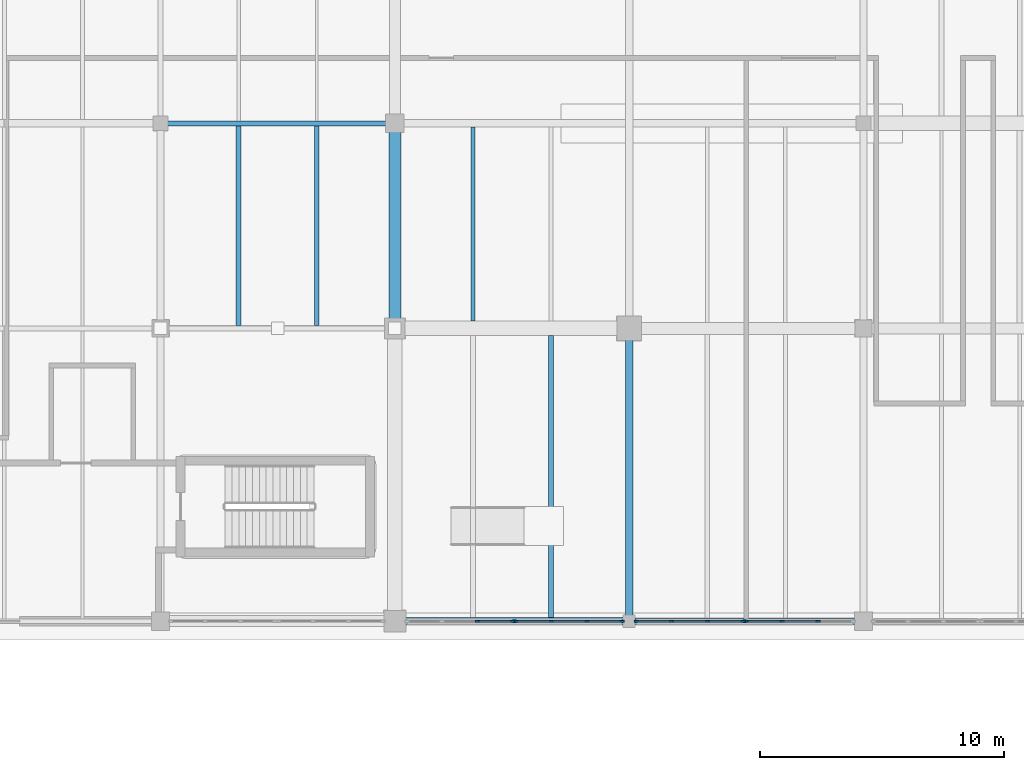
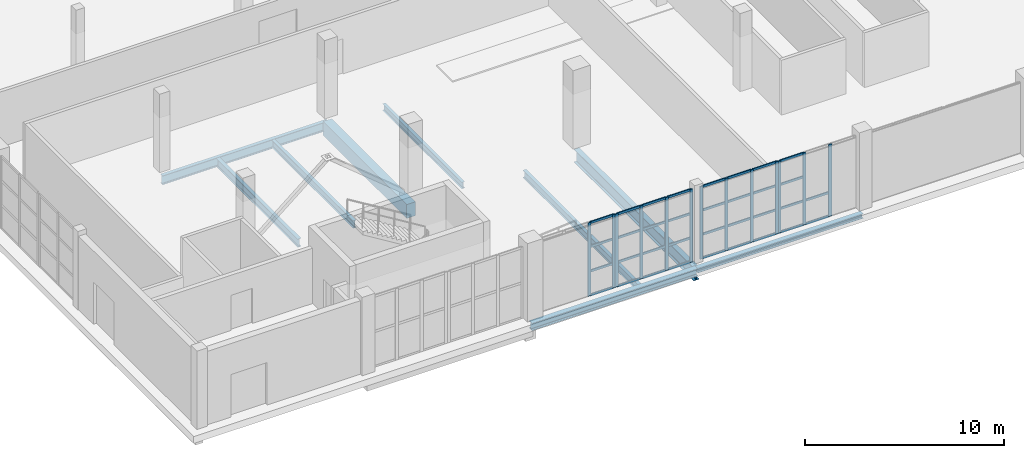
# One storey, part 18 of 121: 47 members, 9 beams, 4 elements without a shape of their own.
"""IFC4 building model written with IfcOpenShell, lengths in metres."""

from ifc_helpers import new_model, si_unit, direction, frame, origin, origin_2d, place, context, subcontext, project, spatial, rectangle, i_section, extrude, material, layer, layer_set, material_profile, profile_set, type_object, element, aggregate, save


model = new_model("IFC4")

# Units and contexts
model_context = context("Model", 3, precision=1e-05, world=origin(), true_north=direction((0.0, 1.0)))
body_context = subcontext(model_context, "Body", "Model", "MODEL_VIEW")
ifc_project = project(units=[si_unit("LENGTHUNIT", "METRE"), si_unit("AREAUNIT", "SQUARE_METRE"), si_unit("VOLUMEUNIT", "CUBIC_METRE"), si_unit("PLANEANGLEUNIT", "RADIAN"), si_unit("MASSUNIT", "GRAM", prefix="KILO")], contexts=[model_context])

# Site, building, storey
site_placement = place(None, origin())
site = spatial("IfcSite", under=ifc_project, at=site_placement, CompositionType="ELEMENT")
building_placement = place(site_placement, origin())
building = spatial("IfcBuilding", under=site, at=building_placement, Name="Zereglee Splitstone Museum", CompositionType="ELEMENT")
storey_placement = place(building_placement, origin())
storey = spatial("IfcBuildingStorey", under=building, at=storey_placement, Name="L00", CompositionType="ELEMENT", Elevation=0.0)

# Beam
ifc_material_1 = material(Name="Concrete C40/50", Category="concrete")
ifc_material_profile_1 = material_profile(ifc_material_1, rectangle(XDim=0.5, YDim=0.85009765625, at=origin_2d()), Name="RC 500x850")
ifc_profile_set_1 = profile_set([ifc_material_profile_1], Name="Concrete C40/50")
beam_type_1 = type_object("IfcBeamType", Name="BG-02", PredefinedType="BEAM", material=ifc_profile_set_1)
beam_1_placement = place(storey_placement, frame((97.199951171875, 21.60009765625, -0.844970703125), z_axis=(0.0, 1.0, 0.0), x_axis=(-1.0, 0.0, 0.0)))
element("IfcBeam", 1, at=beam_1_placement, inside=storey, type_object=beam_type_1, Name="Primary Girder L00 12 (21.6-30.0)", PredefinedType="BEAM", context=body_context, shape_type="SweptSolid", body=[
    extrude(rectangle(XDim=0.5, YDim=0.85009765625, at=origin_2d()), origin(), (0.0, 0.0, 1.0), 8.39990234375),
])

# Curtain wall, members
ifc_material_2 = material(Name="Triple-glazed low-E argon glass and bronze-anodised aluminium", Category="aluminium")
ifc_layer_1 = layer(ifc_material_2, 0.179931640625)
ifc_layer_set_1 = layer_set([ifc_layer_1], Name="Triple-glazed low-E argon glass and bronze-anodised aluminium")
curtain_wall_type_1 = type_object("IfcCurtainWallType", Name="CW-0440-450", PredefinedType="USERDEFINED", material=ifc_layer_set_1)
curtain_wall_1_placement = place(storey_placement, origin())
curtain_wall_1 = element("IfcCurtainWall", 2, at=curtain_wall_1_placement, inside=storey, type_object=curtain_wall_type_1, Name="Glazed Curtain Wall CW-0440-450 (L00)", ObjectType="GLAZED CURTAIN WALL", PredefinedType="USERDEFINED")
ifc_material_3 = material(Name="Thermally broken bronze-anodised aluminium", Category="aluminium")
ifc_material_profile_2 = material_profile(ifc_material_3, rectangle(XDim=0.06494140625, YDim=0.179931640625, at=origin_2d()), Name="CW MULL 65x180")
ifc_profile_set_2 = profile_set([ifc_material_profile_2], Name="Thermally broken bronze-anodised aluminium")
member_type_1 = type_object("IfcMemberType", Name="CWM-01", PredefinedType="MULLION", material=ifc_profile_set_2)
member_1_placement = place(storey_placement, frame((100.5927734375, 9.60009765625, 0.0), z_axis=(0.0, 0.0, 1.0), x_axis=(0.0, 1.0, 0.0)))
member_1 = element("IfcMember", 3, at=member_1_placement, type_object=member_type_1, Name="CW-0440-450 mullion 3", PredefinedType="MULLION", context=body_context, shape_type="SweptSolid", body=[
    extrude(rectangle(XDim=0.06494140625, YDim=0.179931640625, at=origin_2d()), origin(), (0.0, 0.0, 1.0), 4.5),
])
member_2_placement = place(storey_placement, frame((102.027587890625, 9.60009765625, 0.0), z_axis=(0.0, 0.0, 1.0), x_axis=(0.0, 1.0, 0.0)))
member_2 = element("IfcMember", 4, at=member_2_placement, type_object=member_type_1, Name="CW-0440-450 mullion 4", PredefinedType="MULLION", context=body_context, shape_type="SweptSolid", body=[
    extrude(rectangle(XDim=0.06494140625, YDim=0.179931640625, at=origin_2d()), origin(), (0.0, 0.0, 1.0), 4.5),
])

ifc_layer_2 = layer(ifc_material_2, 0.179931640625)
ifc_layer_set_2 = layer_set([ifc_layer_2], Name="Triple-glazed low-E argon glass and bronze-anodised aluminium")
curtain_wall_type_2 = type_object("IfcCurtainWallType", Name="CW-0440-448", PredefinedType="USERDEFINED", material=ifc_layer_set_2)
curtain_wall_2_placement = place(storey_placement, origin())
curtain_wall_2 = element("IfcCurtainWall", 5, at=curtain_wall_2_placement, inside=storey, type_object=curtain_wall_type_2, Name="Glazed Curtain Wall CW-0440-448 (L00)", ObjectType="GLAZED CURTAIN WALL", PredefinedType="USERDEFINED")
member_3_placement = place(storey_placement, frame((102.172607421875, 9.60009765625, 0.0), z_axis=(0.0, 0.0, 1.0), x_axis=(0.0, 1.0, 0.0)))
member_3 = element("IfcMember", 6, at=member_3_placement, type_object=member_type_1, Name="CW-0440-448 mullion 1", PredefinedType="MULLION", context=body_context, shape_type="SweptSolid", body=[
    extrude(rectangle(XDim=0.06494140625, YDim=0.179931640625, at=origin_2d()), origin(), (0.0, 0.0, 1.0), 4.47998046875),
])
member_4_placement = place(storey_placement, frame((103.607421875, 9.60009765625, 0.0), z_axis=(0.0, 0.0, 1.0), x_axis=(0.0, 1.0, 0.0)))
member_4 = element("IfcMember", 7, at=member_4_placement, type_object=member_type_1, Name="CW-0440-448 mullion 2", PredefinedType="MULLION", context=body_context, shape_type="SweptSolid", body=[
    extrude(rectangle(XDim=0.06494140625, YDim=0.179931640625, at=origin_2d()), origin(), (0.0, 0.0, 1.0), 4.47998046875),
])
member_5_placement = place(storey_placement, frame((105.07470703125, 9.60009765625, 0.0), z_axis=(0.0, 0.0, 1.0), x_axis=(0.0, 1.0, 0.0)))
member_5 = element("IfcMember", 8, at=member_5_placement, type_object=member_type_1, Name="CW-0440-448 mullion 3", PredefinedType="MULLION", context=body_context, shape_type="SweptSolid", body=[
    extrude(rectangle(XDim=0.06494140625, YDim=0.179931640625, at=origin_2d()), origin(), (0.0, 0.0, 1.0), 4.47998046875),
])
member_6_placement = place(storey_placement, frame((106.509521484375, 9.60009765625, 0.0), z_axis=(0.0, 0.0, 1.0), x_axis=(0.0, 1.0, 0.0)))
member_6 = element("IfcMember", 9, at=member_6_placement, type_object=member_type_1, Name="CW-0440-448 mullion 4", PredefinedType="MULLION", context=body_context, shape_type="SweptSolid", body=[
    extrude(rectangle(XDim=0.06494140625, YDim=0.179931640625, at=origin_2d()), origin(), (0.0, 0.0, 1.0), 4.47998046875),
])

ifc_layer_3 = layer(ifc_material_2, 0.179931640625)
ifc_layer_set_3 = layer_set([ifc_layer_3], Name="Triple-glazed low-E argon glass and bronze-anodised aluminium")
curtain_wall_type_3 = type_object("IfcCurtainWallType", Name="CW-0444-444", PredefinedType="USERDEFINED", material=ifc_layer_set_3)
curtain_wall_3_placement = place(storey_placement, origin())
curtain_wall_3 = element("IfcCurtainWall", 10, at=curtain_wall_3_placement, inside=storey, type_object=curtain_wall_type_3, Name="Glazed Curtain Wall CW-0444-444 (L00)", ObjectType="GLAZED CURTAIN WALL", PredefinedType="USERDEFINED")
member_7_placement = place(storey_placement, frame((107.090576171875, 9.60009765625, 0.0), z_axis=(0.0, 0.0, 1.0), x_axis=(0.0, 1.0, 0.0)))
member_7 = element("IfcMember", 11, at=member_7_placement, type_object=member_type_1, Name="CW-0444-444 mullion 1", PredefinedType="MULLION", context=body_context, shape_type="SweptSolid", body=[
    extrude(rectangle(XDim=0.06494140625, YDim=0.179931640625, at=origin_2d()), origin(), (0.0, 0.0, 1.0), 4.43994140625),
])
member_8_placement = place(storey_placement, frame((108.537841796875, 9.60009765625, 0.0), z_axis=(0.0, 0.0, 1.0), x_axis=(0.0, 1.0, 0.0)))
member_8 = element("IfcMember", 12, at=member_8_placement, type_object=member_type_1, Name="CW-0444-444 mullion 2", PredefinedType="MULLION", context=body_context, shape_type="SweptSolid", body=[
    extrude(rectangle(XDim=0.06494140625, YDim=0.179931640625, at=origin_2d()), origin(), (0.0, 0.0, 1.0), 4.43994140625),
])
member_9_placement = place(storey_placement, frame((110.017578125, 9.60009765625, 0.0), z_axis=(0.0, 0.0, 1.0), x_axis=(0.0, 1.0, 0.0)))
member_9 = element("IfcMember", 13, at=member_9_placement, type_object=member_type_1, Name="CW-0444-444 mullion 3", PredefinedType="MULLION", context=body_context, shape_type="SweptSolid", body=[
    extrude(rectangle(XDim=0.06494140625, YDim=0.179931640625, at=origin_2d()), origin(), (0.0, 0.0, 1.0), 4.43994140625),
])
member_10_placement = place(storey_placement, frame((111.465087890625, 9.60009765625, 0.0), z_axis=(0.0, 0.0, 1.0), x_axis=(0.0, 1.0, 0.0)))
member_10 = element("IfcMember", 14, at=member_10_placement, type_object=member_type_1, Name="CW-0444-444 mullion 4", PredefinedType="MULLION", context=body_context, shape_type="SweptSolid", body=[
    extrude(rectangle(XDim=0.06494140625, YDim=0.179931640625, at=origin_2d()), origin(), (0.0, 0.0, 1.0), 4.43994140625),
])

ifc_layer_4 = layer(ifc_material_2, 0.179931640625)
ifc_layer_set_4 = layer_set([ifc_layer_4], Name="Triple-glazed low-E argon glass and bronze-anodised aluminium")
curtain_wall_type_4 = type_object("IfcCurtainWallType", Name="CW-0444-442", PredefinedType="USERDEFINED", material=ifc_layer_set_4)
curtain_wall_4_placement = place(storey_placement, origin())
curtain_wall_4 = element("IfcCurtainWall", 15, at=curtain_wall_4_placement, inside=storey, type_object=curtain_wall_type_4, Name="Glazed Curtain Wall CW-0444-442 (L00)", ObjectType="GLAZED CURTAIN WALL", PredefinedType="USERDEFINED")
member_11_placement = place(storey_placement, frame((111.610107421875, 9.60009765625, 0.0), z_axis=(0.0, 0.0, 1.0), x_axis=(0.0, 1.0, 0.0)))
member_11 = element("IfcMember", 16, at=member_11_placement, type_object=member_type_1, Name="CW-0444-442 mullion 1", PredefinedType="MULLION", context=body_context, shape_type="SweptSolid", body=[
    extrude(rectangle(XDim=0.06494140625, YDim=0.179931640625, at=origin_2d()), origin(), (0.0, 0.0, 1.0), 4.419921875),
])
member_12_placement = place(storey_placement, frame((113.057373046875, 9.60009765625, 0.0), z_axis=(0.0, 0.0, 1.0), x_axis=(0.0, 1.0, 0.0)))
member_12 = element("IfcMember", 17, at=member_12_placement, type_object=member_type_1, Name="CW-0444-442 mullion 2", PredefinedType="MULLION", context=body_context, shape_type="SweptSolid", body=[
    extrude(rectangle(XDim=0.06494140625, YDim=0.179931640625, at=origin_2d()), origin(), (0.0, 0.0, 1.0), 4.419921875),
])
member_13_placement = place(storey_placement, frame((114.537109375, 9.60009765625, 0.0), z_axis=(0.0, 0.0, 1.0), x_axis=(0.0, 1.0, 0.0)))
member_13 = element("IfcMember", 18, at=member_13_placement, type_object=member_type_1, Name="CW-0444-442 mullion 3", PredefinedType="MULLION", context=body_context, shape_type="SweptSolid", body=[
    extrude(rectangle(XDim=0.06494140625, YDim=0.179931640625, at=origin_2d()), origin(), (0.0, 0.0, 1.0), 4.419921875),
])

# Member
ifc_material_profile_3 = material_profile(ifc_material_3, rectangle(XDim=0.06494140625, YDim=0.139892578125, at=origin_2d()), Name="CW TRAN 65x140")
ifc_profile_set_3 = profile_set([ifc_material_profile_3], Name="Thermally broken bronze-anodised aluminium")
member_type_2 = type_object("IfcMemberType", Name="CWT-01", PredefinedType="USERDEFINED", material=ifc_profile_set_3)
member_14_placement = place(storey_placement, frame((100.625244140625, 9.60009765625, 0.032470703125), z_axis=(1.0, 0.0, 0.0), x_axis=(0.0, 1.0, 0.0)))
member_14 = element("IfcMember", 19, at=member_14_placement, type_object=member_type_2, Name="CW-0440-450 transom 3.1", ObjectType="TRANSOM", PredefinedType="USERDEFINED", context=body_context, shape_type="SweptSolid", body=[
    extrude(rectangle(XDim=0.06494140625, YDim=0.139892578125, at=origin_2d()), origin(), (0.0, 0.0, 1.0), 1.369873046875),
])

member_15_placement = place(storey_placement, frame((100.625244140625, 9.60009765625, 1.5), z_axis=(1.0, 0.0, 0.0), x_axis=(0.0, 1.0, 0.0)))
member_15 = element("IfcMember", 20, at=member_15_placement, type_object=member_type_2, Name="CW-0440-450 transom 3.2", ObjectType="TRANSOM", PredefinedType="USERDEFINED", context=body_context, shape_type="SweptSolid", body=[
    extrude(rectangle(XDim=0.06494140625, YDim=0.139892578125, at=origin_2d()), origin(), (0.0, 0.0, 1.0), 1.369873046875),
])

member_16_placement = place(storey_placement, frame((100.625244140625, 9.60009765625, 3.0), z_axis=(1.0, 0.0, 0.0), x_axis=(0.0, 1.0, 0.0)))
member_16 = element("IfcMember", 21, at=member_16_placement, type_object=member_type_2, Name="CW-0440-450 transom 3.3", ObjectType="TRANSOM", PredefinedType="USERDEFINED", context=body_context, shape_type="SweptSolid", body=[
    extrude(rectangle(XDim=0.06494140625, YDim=0.139892578125, at=origin_2d()), origin(), (0.0, 0.0, 1.0), 1.369873046875),
])

member_17_placement = place(storey_placement, frame((100.625244140625, 9.60009765625, 4.467529296875), z_axis=(1.0, 0.0, 0.0), x_axis=(0.0, 1.0, 0.0)))
member_17 = element("IfcMember", 22, at=member_17_placement, type_object=member_type_2, Name="CW-0440-450 transom 3.4", ObjectType="TRANSOM", PredefinedType="USERDEFINED", context=body_context, shape_type="SweptSolid", body=[
    extrude(rectangle(XDim=0.06494140625, YDim=0.139892578125, at=origin_2d()), origin(), (0.0, 0.0, 1.0), 1.369873046875),
])

aggregate(curtain_wall_1, [member_1, member_2, member_14, member_15, member_16, member_17])

member_18_placement = place(storey_placement, frame((102.205078125, 9.60009765625, 0.032470703125), z_axis=(1.0, 0.0, 0.0), x_axis=(0.0, 1.0, 0.0)))
member_18 = element("IfcMember", 23, at=member_18_placement, type_object=member_type_2, Name="CW-0440-448 transom 1.1", ObjectType="TRANSOM", PredefinedType="USERDEFINED", context=body_context, shape_type="SweptSolid", body=[
    extrude(rectangle(XDim=0.06494140625, YDim=0.139892578125, at=origin_2d()), origin(), (0.0, 0.0, 1.0), 1.369873046875),
])

member_19_placement = place(storey_placement, frame((102.205078125, 9.60009765625, 1.493408203125), z_axis=(1.0, 0.0, 0.0), x_axis=(0.0, 1.0, 0.0)))
member_19 = element("IfcMember", 24, at=member_19_placement, type_object=member_type_2, Name="CW-0440-448 transom 1.2", ObjectType="TRANSOM", PredefinedType="USERDEFINED", context=body_context, shape_type="SweptSolid", body=[
    extrude(rectangle(XDim=0.06494140625, YDim=0.139892578125, at=origin_2d()), origin(), (0.0, 0.0, 1.0), 1.369873046875),
])

member_20_placement = place(storey_placement, frame((102.205078125, 9.60009765625, 2.98681640625), z_axis=(1.0, 0.0, 0.0), x_axis=(0.0, 1.0, 0.0)))
member_20 = element("IfcMember", 25, at=member_20_placement, type_object=member_type_2, Name="CW-0440-448 transom 1.3", ObjectType="TRANSOM", PredefinedType="USERDEFINED", context=body_context, shape_type="SweptSolid", body=[
    extrude(rectangle(XDim=0.06494140625, YDim=0.139892578125, at=origin_2d()), origin(), (0.0, 0.0, 1.0), 1.369873046875),
])

member_21_placement = place(storey_placement, frame((102.205078125, 9.60009765625, 4.447509765625), z_axis=(1.0, 0.0, 0.0), x_axis=(0.0, 1.0, 0.0)))
member_21 = element("IfcMember", 26, at=member_21_placement, type_object=member_type_2, Name="CW-0440-448 transom 1.4", ObjectType="TRANSOM", PredefinedType="USERDEFINED", context=body_context, shape_type="SweptSolid", body=[
    extrude(rectangle(XDim=0.06494140625, YDim=0.139892578125, at=origin_2d()), origin(), (0.0, 0.0, 1.0), 1.369873046875),
])

member_22_placement = place(storey_placement, frame((103.639892578125, 9.60009765625, 0.032470703125), z_axis=(1.0, 0.0, 0.0), x_axis=(0.0, 1.0, 0.0)))
member_22 = element("IfcMember", 27, at=member_22_placement, type_object=member_type_2, Name="CW-0440-448 transom 2.1", ObjectType="TRANSOM", PredefinedType="USERDEFINED", context=body_context, shape_type="SweptSolid", body=[
    extrude(rectangle(XDim=0.06494140625, YDim=0.139892578125, at=origin_2d()), origin(), (0.0, 0.0, 1.0), 1.40234375),
])

member_23_placement = place(storey_placement, frame((103.639892578125, 9.60009765625, 1.493408203125), z_axis=(1.0, 0.0, 0.0), x_axis=(0.0, 1.0, 0.0)))
member_23 = element("IfcMember", 28, at=member_23_placement, type_object=member_type_2, Name="CW-0440-448 transom 2.2", ObjectType="TRANSOM", PredefinedType="USERDEFINED", context=body_context, shape_type="SweptSolid", body=[
    extrude(rectangle(XDim=0.06494140625, YDim=0.139892578125, at=origin_2d()), origin(), (0.0, 0.0, 1.0), 1.40234375),
])

member_24_placement = place(storey_placement, frame((103.639892578125, 9.60009765625, 2.98681640625), z_axis=(1.0, 0.0, 0.0), x_axis=(0.0, 1.0, 0.0)))
member_24 = element("IfcMember", 29, at=member_24_placement, type_object=member_type_2, Name="CW-0440-448 transom 2.3", ObjectType="TRANSOM", PredefinedType="USERDEFINED", context=body_context, shape_type="SweptSolid", body=[
    extrude(rectangle(XDim=0.06494140625, YDim=0.139892578125, at=origin_2d()), origin(), (0.0, 0.0, 1.0), 1.40234375),
])

member_25_placement = place(storey_placement, frame((103.639892578125, 9.60009765625, 4.447509765625), z_axis=(1.0, 0.0, 0.0), x_axis=(0.0, 1.0, 0.0)))
member_25 = element("IfcMember", 30, at=member_25_placement, type_object=member_type_2, Name="CW-0440-448 transom 2.4", ObjectType="TRANSOM", PredefinedType="USERDEFINED", context=body_context, shape_type="SweptSolid", body=[
    extrude(rectangle(XDim=0.06494140625, YDim=0.139892578125, at=origin_2d()), origin(), (0.0, 0.0, 1.0), 1.40234375),
])

member_26_placement = place(storey_placement, frame((105.107177734375, 9.60009765625, 0.032470703125), z_axis=(1.0, 0.0, 0.0), x_axis=(0.0, 1.0, 0.0)))
member_26 = element("IfcMember", 31, at=member_26_placement, type_object=member_type_2, Name="CW-0440-448 transom 3.1", ObjectType="TRANSOM", PredefinedType="USERDEFINED", context=body_context, shape_type="SweptSolid", body=[
    extrude(rectangle(XDim=0.06494140625, YDim=0.139892578125, at=origin_2d()), origin(), (0.0, 0.0, 1.0), 1.369873046875),
])

member_27_placement = place(storey_placement, frame((105.107177734375, 9.60009765625, 1.493408203125), z_axis=(1.0, 0.0, 0.0), x_axis=(0.0, 1.0, 0.0)))
member_27 = element("IfcMember", 32, at=member_27_placement, type_object=member_type_2, Name="CW-0440-448 transom 3.2", ObjectType="TRANSOM", PredefinedType="USERDEFINED", context=body_context, shape_type="SweptSolid", body=[
    extrude(rectangle(XDim=0.06494140625, YDim=0.139892578125, at=origin_2d()), origin(), (0.0, 0.0, 1.0), 1.369873046875),
])

member_28_placement = place(storey_placement, frame((105.107177734375, 9.60009765625, 2.98681640625), z_axis=(1.0, 0.0, 0.0), x_axis=(0.0, 1.0, 0.0)))
member_28 = element("IfcMember", 33, at=member_28_placement, type_object=member_type_2, Name="CW-0440-448 transom 3.3", ObjectType="TRANSOM", PredefinedType="USERDEFINED", context=body_context, shape_type="SweptSolid", body=[
    extrude(rectangle(XDim=0.06494140625, YDim=0.139892578125, at=origin_2d()), origin(), (0.0, 0.0, 1.0), 1.369873046875),
])

member_29_placement = place(storey_placement, frame((105.107177734375, 9.60009765625, 4.447509765625), z_axis=(1.0, 0.0, 0.0), x_axis=(0.0, 1.0, 0.0)))
member_29 = element("IfcMember", 34, at=member_29_placement, type_object=member_type_2, Name="CW-0440-448 transom 3.4", ObjectType="TRANSOM", PredefinedType="USERDEFINED", context=body_context, shape_type="SweptSolid", body=[
    extrude(rectangle(XDim=0.06494140625, YDim=0.139892578125, at=origin_2d()), origin(), (0.0, 0.0, 1.0), 1.369873046875),
])

aggregate(curtain_wall_2, [member_3, member_4, member_5, member_6, member_18, member_19, member_20, member_21, member_22, member_23, member_24, member_25, member_26, member_27, member_28, member_29])

member_30_placement = place(storey_placement, frame((107.123046875, 9.60009765625, 0.032470703125), z_axis=(1.0, 0.0, 0.0), x_axis=(0.0, 1.0, 0.0)))
member_30 = element("IfcMember", 35, at=member_30_placement, type_object=member_type_2, Name="CW-0444-444 transom 1.1", ObjectType="TRANSOM", PredefinedType="USERDEFINED", context=body_context, shape_type="SweptSolid", body=[
    extrude(rectangle(XDim=0.06494140625, YDim=0.139892578125, at=origin_2d()), origin(), (0.0, 0.0, 1.0), 1.38232421875),
])

member_31_placement = place(storey_placement, frame((107.123046875, 9.60009765625, 1.47998046875), z_axis=(1.0, 0.0, 0.0), x_axis=(0.0, 1.0, 0.0)))
member_31 = element("IfcMember", 36, at=member_31_placement, type_object=member_type_2, Name="CW-0444-444 transom 1.2", ObjectType="TRANSOM", PredefinedType="USERDEFINED", context=body_context, shape_type="SweptSolid", body=[
    extrude(rectangle(XDim=0.06494140625, YDim=0.139892578125, at=origin_2d()), origin(), (0.0, 0.0, 1.0), 1.38232421875),
])

member_32_placement = place(storey_placement, frame((107.123046875, 9.60009765625, 2.9599609375), z_axis=(1.0, 0.0, 0.0), x_axis=(0.0, 1.0, 0.0)))
member_32 = element("IfcMember", 37, at=member_32_placement, type_object=member_type_2, Name="CW-0444-444 transom 1.3", ObjectType="TRANSOM", PredefinedType="USERDEFINED", context=body_context, shape_type="SweptSolid", body=[
    extrude(rectangle(XDim=0.06494140625, YDim=0.139892578125, at=origin_2d()), origin(), (0.0, 0.0, 1.0), 1.38232421875),
])

member_33_placement = place(storey_placement, frame((107.123046875, 9.60009765625, 4.407470703125), z_axis=(1.0, 0.0, 0.0), x_axis=(0.0, 1.0, 0.0)))
member_33 = element("IfcMember", 38, at=member_33_placement, type_object=member_type_2, Name="CW-0444-444 transom 1.4", ObjectType="TRANSOM", PredefinedType="USERDEFINED", context=body_context, shape_type="SweptSolid", body=[
    extrude(rectangle(XDim=0.06494140625, YDim=0.139892578125, at=origin_2d()), origin(), (0.0, 0.0, 1.0), 1.38232421875),
])

member_34_placement = place(storey_placement, frame((108.5703125, 9.60009765625, 0.032470703125), z_axis=(1.0, 0.0, 0.0), x_axis=(0.0, 1.0, 0.0)))
member_34 = element("IfcMember", 39, at=member_34_placement, type_object=member_type_2, Name="CW-0444-444 transom 2.1", ObjectType="TRANSOM", PredefinedType="USERDEFINED", context=body_context, shape_type="SweptSolid", body=[
    extrude(rectangle(XDim=0.06494140625, YDim=0.139892578125, at=origin_2d()), origin(), (0.0, 0.0, 1.0), 1.414794921875),
])

member_35_placement = place(storey_placement, frame((108.5703125, 9.60009765625, 1.47998046875), z_axis=(1.0, 0.0, 0.0), x_axis=(0.0, 1.0, 0.0)))
member_35 = element("IfcMember", 40, at=member_35_placement, type_object=member_type_2, Name="CW-0444-444 transom 2.2", ObjectType="TRANSOM", PredefinedType="USERDEFINED", context=body_context, shape_type="SweptSolid", body=[
    extrude(rectangle(XDim=0.06494140625, YDim=0.139892578125, at=origin_2d()), origin(), (0.0, 0.0, 1.0), 1.414794921875),
])

member_36_placement = place(storey_placement, frame((108.5703125, 9.60009765625, 2.9599609375), z_axis=(1.0, 0.0, 0.0), x_axis=(0.0, 1.0, 0.0)))
member_36 = element("IfcMember", 41, at=member_36_placement, type_object=member_type_2, Name="CW-0444-444 transom 2.3", ObjectType="TRANSOM", PredefinedType="USERDEFINED", context=body_context, shape_type="SweptSolid", body=[
    extrude(rectangle(XDim=0.06494140625, YDim=0.139892578125, at=origin_2d()), origin(), (0.0, 0.0, 1.0), 1.414794921875),
])

member_37_placement = place(storey_placement, frame((108.5703125, 9.60009765625, 4.407470703125), z_axis=(1.0, 0.0, 0.0), x_axis=(0.0, 1.0, 0.0)))
member_37 = element("IfcMember", 42, at=member_37_placement, type_object=member_type_2, Name="CW-0444-444 transom 2.4", ObjectType="TRANSOM", PredefinedType="USERDEFINED", context=body_context, shape_type="SweptSolid", body=[
    extrude(rectangle(XDim=0.06494140625, YDim=0.139892578125, at=origin_2d()), origin(), (0.0, 0.0, 1.0), 1.414794921875),
])

member_38_placement = place(storey_placement, frame((110.050048828125, 9.60009765625, 0.032470703125), z_axis=(1.0, 0.0, 0.0), x_axis=(0.0, 1.0, 0.0)))
member_38 = element("IfcMember", 43, at=member_38_placement, type_object=member_type_2, Name="CW-0444-444 transom 3.1", ObjectType="TRANSOM", PredefinedType="USERDEFINED", context=body_context, shape_type="SweptSolid", body=[
    extrude(rectangle(XDim=0.06494140625, YDim=0.139892578125, at=origin_2d()), origin(), (0.0, 0.0, 1.0), 1.382568359375),
])

member_39_placement = place(storey_placement, frame((110.050048828125, 9.60009765625, 1.47998046875), z_axis=(1.0, 0.0, 0.0), x_axis=(0.0, 1.0, 0.0)))
member_39 = element("IfcMember", 44, at=member_39_placement, type_object=member_type_2, Name="CW-0444-444 transom 3.2", ObjectType="TRANSOM", PredefinedType="USERDEFINED", context=body_context, shape_type="SweptSolid", body=[
    extrude(rectangle(XDim=0.06494140625, YDim=0.139892578125, at=origin_2d()), origin(), (0.0, 0.0, 1.0), 1.382568359375),
])

member_40_placement = place(storey_placement, frame((110.050048828125, 9.60009765625, 2.9599609375), z_axis=(1.0, 0.0, 0.0), x_axis=(0.0, 1.0, 0.0)))
member_40 = element("IfcMember", 45, at=member_40_placement, type_object=member_type_2, Name="CW-0444-444 transom 3.3", ObjectType="TRANSOM", PredefinedType="USERDEFINED", context=body_context, shape_type="SweptSolid", body=[
    extrude(rectangle(XDim=0.06494140625, YDim=0.139892578125, at=origin_2d()), origin(), (0.0, 0.0, 1.0), 1.382568359375),
])

member_41_placement = place(storey_placement, frame((110.050048828125, 9.60009765625, 4.407470703125), z_axis=(1.0, 0.0, 0.0), x_axis=(0.0, 1.0, 0.0)))
member_41 = element("IfcMember", 46, at=member_41_placement, type_object=member_type_2, Name="CW-0444-444 transom 3.4", ObjectType="TRANSOM", PredefinedType="USERDEFINED", context=body_context, shape_type="SweptSolid", body=[
    extrude(rectangle(XDim=0.06494140625, YDim=0.139892578125, at=origin_2d()), origin(), (0.0, 0.0, 1.0), 1.382568359375),
])

aggregate(curtain_wall_3, [member_7, member_8, member_9, member_10, member_30, member_31, member_32, member_33, member_34, member_35, member_36, member_37, member_38, member_39, member_40, member_41])

member_42_placement = place(storey_placement, frame((111.642578125, 9.60009765625, 0.032470703125), z_axis=(1.0, 0.0, 0.0), x_axis=(0.0, 1.0, 0.0)))
member_42 = element("IfcMember", 47, at=member_42_placement, type_object=member_type_2, Name="CW-0444-442 transom 1.1", ObjectType="TRANSOM", PredefinedType="USERDEFINED", context=body_context, shape_type="SweptSolid", body=[
    extrude(rectangle(XDim=0.06494140625, YDim=0.139892578125, at=origin_2d()), origin(), (0.0, 0.0, 1.0), 1.38232421875),
])

member_43_placement = place(storey_placement, frame((111.642578125, 9.60009765625, 1.473388671875), z_axis=(1.0, 0.0, 0.0), x_axis=(0.0, 1.0, 0.0)))
member_43 = element("IfcMember", 48, at=member_43_placement, type_object=member_type_2, Name="CW-0444-442 transom 1.2", ObjectType="TRANSOM", PredefinedType="USERDEFINED", context=body_context, shape_type="SweptSolid", body=[
    extrude(rectangle(XDim=0.06494140625, YDim=0.139892578125, at=origin_2d()), origin(), (0.0, 0.0, 1.0), 1.38232421875),
])

member_44_placement = place(storey_placement, frame((111.642578125, 9.60009765625, 2.94677734375), z_axis=(1.0, 0.0, 0.0), x_axis=(0.0, 1.0, 0.0)))
member_44 = element("IfcMember", 49, at=member_44_placement, type_object=member_type_2, Name="CW-0444-442 transom 1.3", ObjectType="TRANSOM", PredefinedType="USERDEFINED", context=body_context, shape_type="SweptSolid", body=[
    extrude(rectangle(XDim=0.06494140625, YDim=0.139892578125, at=origin_2d()), origin(), (0.0, 0.0, 1.0), 1.38232421875),
])

member_45_placement = place(storey_placement, frame((111.642578125, 9.60009765625, 4.387451171875), z_axis=(1.0, 0.0, 0.0), x_axis=(0.0, 1.0, 0.0)))
member_45 = element("IfcMember", 50, at=member_45_placement, type_object=member_type_2, Name="CW-0444-442 transom 1.4", ObjectType="TRANSOM", PredefinedType="USERDEFINED", context=body_context, shape_type="SweptSolid", body=[
    extrude(rectangle(XDim=0.06494140625, YDim=0.139892578125, at=origin_2d()), origin(), (0.0, 0.0, 1.0), 1.38232421875),
])

member_46_placement = place(storey_placement, frame((113.08984375, 9.60009765625, 0.032470703125), z_axis=(1.0, 0.0, 0.0), x_axis=(0.0, 1.0, 0.0)))
member_46 = element("IfcMember", 51, at=member_46_placement, type_object=member_type_2, Name="CW-0444-442 transom 2.1", ObjectType="TRANSOM", PredefinedType="USERDEFINED", context=body_context, shape_type="SweptSolid", body=[
    extrude(rectangle(XDim=0.06494140625, YDim=0.139892578125, at=origin_2d()), origin(), (0.0, 0.0, 1.0), 1.414794921875),
])

member_47_placement = place(storey_placement, frame((113.08984375, 9.60009765625, 1.473388671875), z_axis=(1.0, 0.0, 0.0), x_axis=(0.0, 1.0, 0.0)))
member_47 = element("IfcMember", 52, at=member_47_placement, type_object=member_type_2, Name="CW-0444-442 transom 2.2", ObjectType="TRANSOM", PredefinedType="USERDEFINED", context=body_context, shape_type="SweptSolid", body=[
    extrude(rectangle(XDim=0.06494140625, YDim=0.139892578125, at=origin_2d()), origin(), (0.0, 0.0, 1.0), 1.414794921875),
])

aggregate(curtain_wall_4, [member_11, member_12, member_13, member_42, member_43, member_44, member_45, member_46, member_47])

# Beams
ifc_material_4 = material(Name="Steel S355J2", Category="steel")
ifc_material_profile_4 = material_profile(ifc_material_4, i_section(OverallWidth=0.300048828125, OverallDepth=0.800048828125, WebThickness=0.017578125, FlangeThickness=0.032958984375, FilletRadius=0.030029296875, at=origin_2d()), Name="HE 800 B")
ifc_profile_set_4 = profile_set([ifc_material_profile_4], Name="Steel S355J2")
beam_type_2 = type_object("IfcBeamType", Name="BG-07", PredefinedType="BEAM", material=ifc_profile_set_4)
beam_2_placement = place(storey_placement, frame((106.800048828125, 9.60009765625, -0.820068359375), z_axis=(0.0, 1.0, 0.0), x_axis=(-1.0, 0.0, 0.0)))
element("IfcBeam", 53, at=beam_2_placement, inside=storey, type_object=beam_type_2, Name="Primary Girder L00 13 (9.6-21.6)", PredefinedType="BEAM", context=body_context, shape_type="SweptSolid", body=[
    extrude(i_section(OverallWidth=0.300048828125, OverallDepth=0.800048828125, WebThickness=0.017578125, FlangeThickness=0.032958984375, FilletRadius=0.030029296875, at=origin_2d()), origin(), (0.0, 0.0, 1.0), 12.0),
])
ifc_material_profile_5 = material_profile(ifc_material_4, i_section(OverallWidth=0.2099609375, OverallDepth=0.550048828125, WebThickness=0.010986328125, FlangeThickness=0.01708984375, FilletRadius=0.02392578125, at=origin_2d()), Name="IPE 550")
ifc_profile_set_5 = profile_set([ifc_material_profile_5], Name="Steel S355J2")
beam_type_3 = type_object("IfcBeamType", Name="BG-16", PredefinedType="BEAM", material=ifc_profile_set_5)
beam_3_placement = place(storey_placement, frame((87.60009765625, 30.0, -0.695068359375), z_axis=(1.0, 0.0, 0.0), x_axis=(0.0, 1.0, 0.0)))
element("IfcBeam", 54, at=beam_3_placement, inside=storey, type_object=beam_type_3, Name="Primary Girder L00 D (87.6-97.2)", PredefinedType="BEAM", context=body_context, shape_type="SweptSolid", body=[
    extrude(i_section(OverallWidth=0.2099609375, OverallDepth=0.550048828125, WebThickness=0.010986328125, FlangeThickness=0.01708984375, FilletRadius=0.02392578125, at=origin_2d()), origin(), (0.0, 0.0, 1.0), 9.599853515625),
])
ifc_material_profile_6 = material_profile(ifc_material_4, i_section(OverallWidth=0.179931640625, OverallDepth=0.39990234375, WebThickness=0.008544921875, FlangeThickness=0.013427734375, FilletRadius=0.02099609375, at=origin_2d()), Name="IPE 400")
ifc_profile_set_6 = profile_set([ifc_material_profile_6], Name="Steel S355J2")
beam_type_4 = type_object("IfcBeamType", Name="BJ-03", PredefinedType="JOIST", material=ifc_profile_set_6)
beam_4_placement = place(storey_placement, frame((100.39990234375, 21.89990234375, -0.6201171875), z_axis=(0.0, 1.0, 0.0), x_axis=(-1.0, 0.0, 0.0)))
element("IfcBeam", 55, at=beam_4_placement, inside=storey, type_object=beam_type_4, Name="Secondary Floor Joist L00-0317", PredefinedType="JOIST", context=body_context, shape_type="SweptSolid", body=[
    extrude(i_section(OverallWidth=0.179931640625, OverallDepth=0.39990234375, WebThickness=0.008544921875, FlangeThickness=0.013427734375, FilletRadius=0.02099609375, at=origin_2d()), origin(), (0.0, 0.0, 1.0), 7.9501953125),
])
ifc_material_profile_7 = material_profile(ifc_material_4, i_section(OverallWidth=0.18994140625, OverallDepth=0.449951171875, WebThickness=0.009521484375, FlangeThickness=0.0146484375, FilletRadius=0.02099609375, at=origin_2d()), Name="IPE 450")
ifc_profile_set_7 = profile_set([ifc_material_profile_7], Name="Steel S355J2")
beam_type_5 = type_object("IfcBeamType", Name="BJ-02", PredefinedType="JOIST", material=ifc_profile_set_7)
beam_5_placement = place(storey_placement, frame((103.60009765625, 9.75, -0.64501953125), z_axis=(0.0, 1.0, 0.0), x_axis=(-1.0, 0.0, 0.0)))
element("IfcBeam", 56, at=beam_5_placement, inside=storey, type_object=beam_type_5, Name="Secondary Floor Joist L00-0281", PredefinedType="JOIST", context=body_context, shape_type="SweptSolid", body=[
    extrude(i_section(OverallWidth=0.18994140625, OverallDepth=0.449951171875, WebThickness=0.009521484375, FlangeThickness=0.0146484375, FilletRadius=0.02099609375, at=origin_2d()), origin(), (0.0, 0.0, 1.0), 11.550048828125),
])
beam_6_placement = place(storey_placement, frame((94.0, 21.7099609375, -0.64501953125), z_axis=(0.0, 1.0, 0.0), x_axis=(-1.0, 0.0, 0.0)))
element("IfcBeam", 57, at=beam_6_placement, inside=storey, type_object=beam_type_5, Name="Secondary Floor Joist L00-0316", PredefinedType="JOIST", context=body_context, shape_type="SweptSolid", body=[
    extrude(i_section(OverallWidth=0.18994140625, OverallDepth=0.449951171875, WebThickness=0.009521484375, FlangeThickness=0.0146484375, FilletRadius=0.02099609375, at=origin_2d()), origin(), (0.0, 0.0, 1.0), 8.18505859375),
])
ifc_material_profile_8 = material_profile(ifc_material_4, i_section(OverallWidth=0.199951171875, OverallDepth=0.5, WebThickness=0.01025390625, FlangeThickness=0.01611328125, FilletRadius=0.02099609375, at=origin_2d()), Name="IPE 500")
ifc_profile_set_8 = profile_set([ifc_material_profile_8], Name="Steel S355J2")
beam_type_6 = type_object("IfcBeamType", Name="BJ-01", PredefinedType="JOIST", material=ifc_profile_set_8)
beam_7_placement = place(storey_placement, frame((90.800048828125, 21.7099609375, -0.669921875), z_axis=(0.0, 1.0, 0.0), x_axis=(-1.0, 0.0, 0.0)))
element("IfcBeam", 58, at=beam_7_placement, inside=storey, type_object=beam_type_6, Name="Secondary Floor Joist L00-0315", PredefinedType="JOIST", context=body_context, shape_type="SweptSolid", body=[
    extrude(i_section(OverallWidth=0.199951171875, OverallDepth=0.5, WebThickness=0.01025390625, FlangeThickness=0.01611328125, FilletRadius=0.02099609375, at=origin_2d()), origin(), (0.0, 0.0, 1.0), 8.18505859375),
])
ifc_material_profile_9 = material_profile(ifc_material_4, i_section(OverallWidth=0.280029296875, OverallDepth=0.280029296875, WebThickness=0.010498046875, FlangeThickness=0.01806640625, FilletRadius=0.02392578125, at=origin_2d()), Name="HE 280 B")
ifc_profile_set_9 = profile_set([ifc_material_profile_9], Name="Steel S355J2")
beam_type_7 = type_object("IfcBeamType", Name="SP-03", PredefinedType="SPANDREL", material=ifc_profile_set_9)
beam_8_placement = place(storey_placement, frame((106.800048828125, 9.60009765625, -0.56005859375), z_axis=(1.0, 0.0, 0.0), x_axis=(0.0, 1.0, 0.0)))
element("IfcBeam", 59, at=beam_8_placement, inside=storey, type_object=beam_type_7, Name="Primary Girder L00 B (106.8-116.4)", PredefinedType="SPANDREL", context=body_context, shape_type="SweptSolid", body=[
    extrude(i_section(OverallWidth=0.280029296875, OverallDepth=0.280029296875, WebThickness=0.010498046875, FlangeThickness=0.01806640625, FilletRadius=0.02392578125, at=origin_2d()), origin(), (0.0, 0.0, 1.0), 9.599853515625),
])
ifc_material_profile_10 = material_profile(ifc_material_4, i_section(OverallWidth=0.300048828125, OverallDepth=0.449951171875, WebThickness=0.013916015625, FlangeThickness=0.02587890625, FilletRadius=0.027099609375, at=origin_2d()), Name="HE 450 B")
ifc_profile_set_10 = profile_set([ifc_material_profile_10], Name="Steel S355J2")
beam_type_8 = type_object("IfcBeamType", Name="SP-02", PredefinedType="SPANDREL", material=ifc_profile_set_10)
beam_9_placement = place(storey_placement, frame((97.199951171875, 9.60009765625, -0.64501953125), z_axis=(1.0, 0.0, 0.0), x_axis=(0.0, 1.0, 0.0)))
element("IfcBeam", 60, at=beam_9_placement, inside=storey, type_object=beam_type_8, Name="Primary Girder L00 B (97.2-106.8)", PredefinedType="SPANDREL", context=body_context, shape_type="SweptSolid", body=[
    extrude(i_section(OverallWidth=0.300048828125, OverallDepth=0.449951171875, WebThickness=0.013916015625, FlangeThickness=0.02587890625, FilletRadius=0.027099609375, at=origin_2d()), origin(), (0.0, 0.0, 1.0), 9.60009765625),
])

save(model, "model.ifc")
